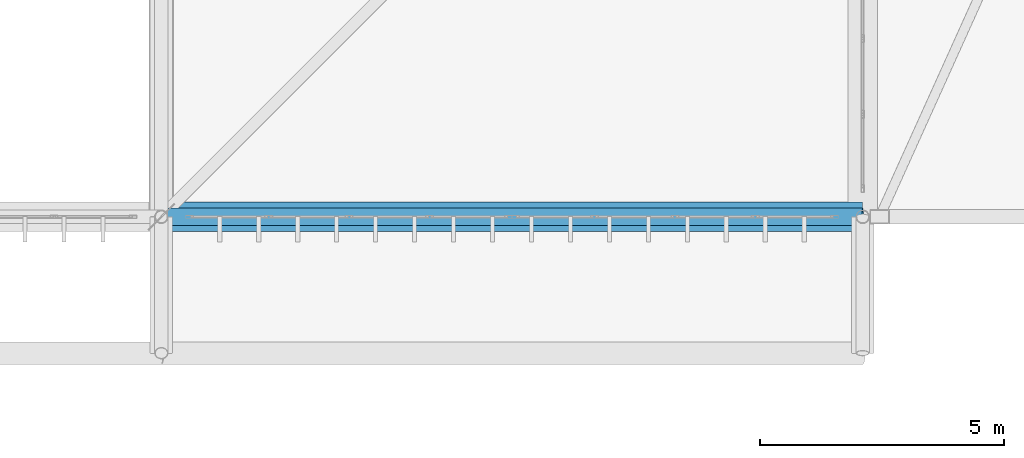
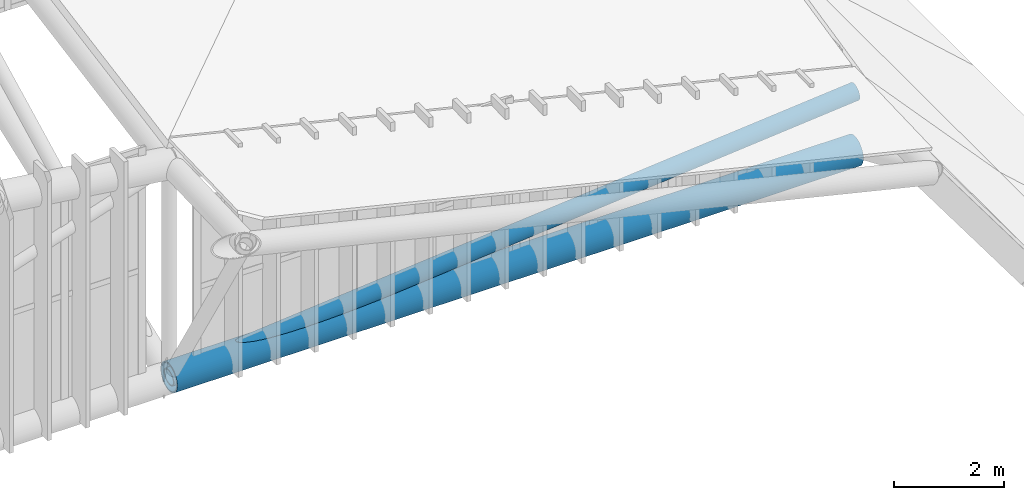
# One storey, part 114 of 397: 1 beam, 1 member.
"""IFC4 building model written with IfcOpenShell, lengths in metres."""

import ifcopenshell
import ifcopenshell.guid

model = None  # the IFC model being written
_history = None  # IfcOwnerHistory: only IFC2X3 demands one
_inside = {}  # id of a spatial element -> (the spatial element, [elements in it])
_under = {}  # id of a project, library or spatial element -> (it, [spatial elements below it])
_declared = {}  # id of a project -> (the project, [libraries it declares])
_typed = {}  # id of a type object -> (the type object, [elements of that type])
_made_of = {}  # id of a material, layer set ... -> (it, [elements and type objects made of it])


def new_model(schema):
    """Start an empty IFC model of exactly this schema.

    Asked for "IFC4X3", IfcOpenShell would pick the latest addendum, in which some entities
    have other attributes; the version numbers below select the first issue.
    IFC2X3 requires an IfcOwnerHistory on every rooted entity: one is made here for all.
    """
    global model, _history
    if schema == "IFC4X3":
        model = ifcopenshell.file(schema_version=(4, 3, 0, 0))
    else:
        model = ifcopenshell.file(schema=schema)
    _inside.clear()
    _under.clear()
    _declared.clear()
    _typed.clear()
    _made_of.clear()
    _history = None
    if model.schema == "IFC2X3":
        org = make("IfcOrganization", Name="unknown")
        user = make(
            "IfcPersonAndOrganization",
            ThePerson=make("IfcPerson", FamilyName="unknown"),
            TheOrganization=org,
        )
        app = make(
            "IfcApplication",
            ApplicationDeveloper=org,
            Version="unknown",
            ApplicationFullName="unknown",
            ApplicationIdentifier="unknown",
        )
        _history = make(
            "IfcOwnerHistory",
            OwningUser=user,
            OwningApplication=app,
            ChangeAction="ADDED",
            CreationDate=0,
        )
    return model


def make(cls, **values):
    """One entity of the class cls with the attributes given. An attribute that is None is left unset."""
    return model.create_entity(
        cls, **{name: value for name, value in values.items() if value is not None}
    )


def rooted(cls, **values):
    """An entity with a GlobalId (a new one), such as an element, a storey or a relation."""
    return make(cls, GlobalId=ifcopenshell.guid.new(), OwnerHistory=_history, **values)


def si_unit(unit_type, name, prefix=None):
    """IfcSIUnit, for example si_unit("LENGTHUNIT", "METRE", prefix="MILLI")."""
    return make("IfcSIUnit", UnitType=unit_type, Prefix=prefix, Name=name)


def assignment(units):
    """IfcUnitAssignment: the units of a project."""
    return None if units is None else make("IfcUnitAssignment", Units=units)


def point(xyz):
    """IfcCartesianPoint."""
    return None if xyz is None else make("IfcCartesianPoint", Coordinates=xyz)


def direction(xyz):
    """IfcDirection."""
    return None if xyz is None else make("IfcDirection", DirectionRatios=xyz)


def frame(location, z_axis=None, x_axis=None):
    """IfcAxis2Placement3D, a coordinate frame: its origin and axes. An axis left out is left unset."""
    return make(
        "IfcAxis2Placement3D",
        Location=point(location),
        Axis=direction(z_axis),
        RefDirection=direction(x_axis),
    )


def frame_2d(location, x_axis=None):
    """IfcAxis2Placement2D, a coordinate frame in the plane: its origin and x axis."""
    return make(
        "IfcAxis2Placement2D", Location=point(location), RefDirection=direction(x_axis)
    )


def origin():
    """The frame at (0, 0, 0) with its axes left unset."""
    return frame((0.0, 0.0, 0.0))


def origin_2d():
    """The frame at (0, 0) in the plane with its x axis left unset."""
    return frame_2d((0.0, 0.0))


def place(relative_to, where):
    """IfcLocalPlacement: puts the frame where relative to a parent placement (None: the world)."""
    return make(
        "IfcLocalPlacement", PlacementRelTo=relative_to, RelativePlacement=where
    )


def context(
    kind, dimensions, precision=None, world=None, true_north=None, identifier=None
):
    """IfcGeometricRepresentationContext, for example the 3D "Model" context."""
    return make(
        "IfcGeometricRepresentationContext",
        ContextIdentifier=identifier,
        ContextType=kind,
        CoordinateSpaceDimension=dimensions,
        Precision=precision,
        WorldCoordinateSystem=world,
        TrueNorth=true_north,
    )


def subcontext(parent, identifier, kind, view, scale=None):
    """IfcGeometricRepresentationSubContext, for example "Body" below "Model"."""
    return make(
        "IfcGeometricRepresentationSubContext",
        ContextIdentifier=identifier,
        ContextType=kind,
        ParentContext=parent,
        TargetScale=scale,
        TargetView=view,
    )


def project(units=None, contexts=None):
    """IfcProject with its units and contexts."""
    return rooted(
        "IfcProject",
        Name="project",
        RepresentationContexts=contexts,
        UnitsInContext=assignment(units),
    )


def spatial(cls, under=None, at=None, **own):
    """A site, building, storey or space (cls), placed at a placement, below another one or the project."""
    s = rooted(cls, ObjectPlacement=at, **own)
    if under is not None:
        _under.setdefault(under.id(), (under, []))[1].append(s)
    return s


def profile(cls, at=None, kind="AREA", **sizes):
    """A parametric profile (cls). Its sizes go by their IFC names, for example OverallWidth=200.0."""
    return make(cls, ProfileType=kind, Position=at, **sizes)


def hollow_circle(**sizes):
    """IfcCircleHollowProfileDef."""
    return profile("IfcCircleHollowProfileDef", **sizes)


def extrude(swept, where, along, depth):
    """IfcExtrudedAreaSolid: the profile swept, set in the frame where, extruded along a direction by depth."""
    return make(
        "IfcExtrudedAreaSolid",
        SweptArea=swept,
        Position=where,
        ExtrudedDirection=direction(along),
        Depth=depth,
    )


def shape(context_of_items, identifier, shape_type, items):
    """IfcShapeRepresentation: the items that make up one representation, for example the "Body"."""
    return make(
        "IfcShapeRepresentation",
        ContextOfItems=context_of_items,
        RepresentationIdentifier=identifier,
        RepresentationType=shape_type,
        Items=items,
    )


def material(Name=None, Category=None):
    """IfcMaterial."""
    return make("IfcMaterial", Name=Name, Category=Category)


def material_profile(
    of_material, cross_section, Name=None, Category=None, Priority=None
):
    """IfcMaterialProfile: a cross section and its material."""
    return make(
        "IfcMaterialProfile",
        Name=Name,
        Material=of_material,
        Profile=cross_section,
        Priority=Priority,
        Category=Category,
    )


def profile_set(profiles, Name=None, composite=None):
    """IfcMaterialProfileSet."""
    return make(
        "IfcMaterialProfileSet",
        Name=Name,
        MaterialProfiles=profiles,
        CompositeProfile=composite,
    )


def made_of(thing, what):
    """Note that an element or type object is made of a material, layer set ...; save() writes the relation."""
    if what is not None:
        _made_of.setdefault(what.id(), (what, []))[1].append(thing)
    return thing


def type_object(cls, material=None, **own):
    """A type object (cls), such as IfcWallType, which elements share."""
    return made_of(rooted(cls, **own), material)


def element(
    cls,
    number,
    at=None,
    inside=None,
    cuts=None,
    type_object=None,
    material=None,
    context=None,
    identifier="Body",
    shape_type=None,
    held_by="IfcProductDefinitionShape",
    body=None,
    shapes=None,
    **own,
):
    """One element of the class cls, such as IfcWall. Its Tag is "e" and its number.

    at: its placement. inside: the storey or other place that contains it. cuts: it is an
    opening in that element (IfcRelVoidsElement). A single representation is given by context,
    identifier, shape_type and body (its items); several are given by shapes. held_by: the class
    of the entity that holds the representations. save() writes the other relations.
    """
    e = rooted(cls, Tag="e%d" % number, ObjectPlacement=at, **own)
    if body is not None:
        shapes = [shape(context, identifier, shape_type, body)]
    if shapes is not None:
        e.Representation = make(held_by, Representations=shapes)
    if inside is not None:
        _inside.setdefault(inside.id(), (inside, []))[1].append(e)
    if cuts is not None:
        rooted(
            "IfcRelVoidsElement", RelatingBuildingElement=cuts, RelatedOpeningElement=e
        )
    if type_object is not None:
        _typed.setdefault(type_object.id(), (type_object, []))[1].append(e)
    return made_of(e, material)


def aggregate(whole, parts):
    """IfcRelAggregates: a whole, such as a stair, and the parts it consists of."""
    return rooted("IfcRelAggregates", RelatingObject=whole, RelatedObjects=parts)


def save(model, path):
    """Write the relations noted so far, then the file.

    IfcRelAggregates (storeys below a building ...), IfcRelContainedInSpatialStructure (elements
    in a storey), IfcRelDefinesByType, IfcRelAssociatesMaterial and IfcRelDeclares: one each for
    every whole, place, type object, material and project.
    """
    for whole, parts in _under.values():
        aggregate(whole, parts)
    for where, things in _inside.values():
        rooted(
            "IfcRelContainedInSpatialStructure",
            RelatedElements=things,
            RelatingStructure=where,
        )
    for kind, things in _typed.values():
        rooted("IfcRelDefinesByType", RelatedObjects=things, RelatingType=kind)
    for what, things in _made_of.values():
        rooted("IfcRelAssociatesMaterial", RelatedObjects=things, RelatingMaterial=what)
    for by, libraries in _declared.values():
        rooted("IfcRelDeclares", RelatingContext=by, RelatedDefinitions=libraries)
    model.write(path)


model = new_model("IFC4")

# Units and contexts
model_context = context("Model", 3, precision=1e-05, world=origin(), true_north=direction((0.0, 1.0)))
body_context = subcontext(model_context, "Body", "Model", "MODEL_VIEW")
ifc_project = project(units=[si_unit("LENGTHUNIT", "METRE"), si_unit("AREAUNIT", "SQUARE_METRE"), si_unit("VOLUMEUNIT", "CUBIC_METRE"), si_unit("PLANEANGLEUNIT", "RADIAN"), si_unit("MASSUNIT", "GRAM", prefix="KILO")], contexts=[model_context])

# Site, building, storey
site_placement = place(None, origin())
site = spatial("IfcSite", under=ifc_project, at=site_placement, CompositionType="ELEMENT")
building_placement = place(site_placement, origin())
building = spatial("IfcBuilding", under=site, at=building_placement, Name="Qandorah Velis Arena", CompositionType="ELEMENT")
storey_placement = place(building_placement, frame((0.0, 0.0, 27.5)))
storey = spatial("IfcBuildingStorey", under=building, at=storey_placement, Name="RF", CompositionType="ELEMENT", Elevation=27.5)

# Beam
ifc_material_1 = material(Name="Steel S460", Category="steel")
ifc_material_profile_1 = material_profile(ifc_material_1, hollow_circle(Radius=0.304931640625, WallThickness=0.02490234375, at=origin_2d()), Name="CHS 610x25")
ifc_profile_set_1 = profile_set([ifc_material_profile_1], Name="Steel S460")
beam_type = type_object("IfcBeamType", Name="STR-SFC-CHS610X25", PredefinedType="USERDEFINED", material=ifc_profile_set_1)
beam_placement = place(storey_placement, frame((100.800048828125, 14.39990234375, 0.10009765625), z_axis=(1.0, 0.0, 0.0), x_axis=(0.0, 1.0, 0.0)))
element("IfcBeam", 1, at=beam_placement, inside=storey, type_object=beam_type, Name="Space frame roof truss bottom chord X 6.0", ObjectType="ROOF TRUSS", PredefinedType="USERDEFINED", context=body_context, shape_type="SweptSolid", body=[
    extrude(hollow_circle(Radius=0.304931640625, WallThickness=0.02490234375, at=origin_2d()), origin(), (0.0, 0.0, 1.0), 14.39990234375),
])

# Member
ifc_material_2 = material(Name="Steel S355", Category="steel")
ifc_material_profile_2 = material_profile(ifc_material_2, hollow_circle(Radius=0.177734375, WallThickness=0.01611328125, at=origin_2d()), Name="CHS 355.6x16")
ifc_profile_set_2 = profile_set([ifc_material_profile_2], Name="Steel S355")
member_type = type_object("IfcMemberType", Name="STR-SFD-CHS355X16", PredefinedType="STRUT", material=ifc_profile_set_2)
member_placement = place(storey_placement, frame((100.800048828125, 14.39990234375, 0.10009765625), z_axis=(0.995950857329, 0.0, 0.089899331396), x_axis=(0.0, 1.0, 0.0)))
element("IfcMember", 2, at=member_placement, inside=storey, type_object=member_type, Name="Space frame roof diagonal X 6.0", PredefinedType="STRUT", context=body_context, shape_type="SweptSolid", body=[
    extrude(hollow_circle(Radius=0.177734375, WallThickness=0.01611328125, at=origin_2d()), origin(), (0.0, 0.0, 1.0), 14.45849609375),
])

save(model, "model.ifc")
